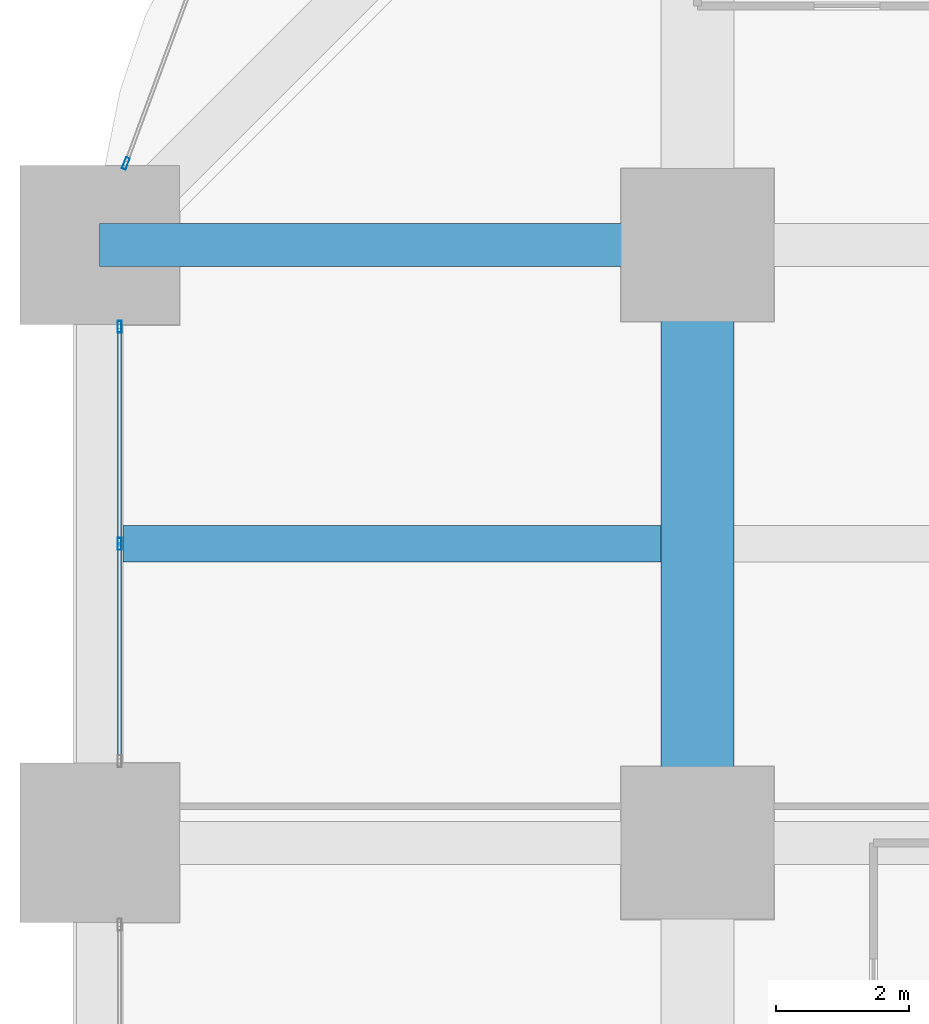
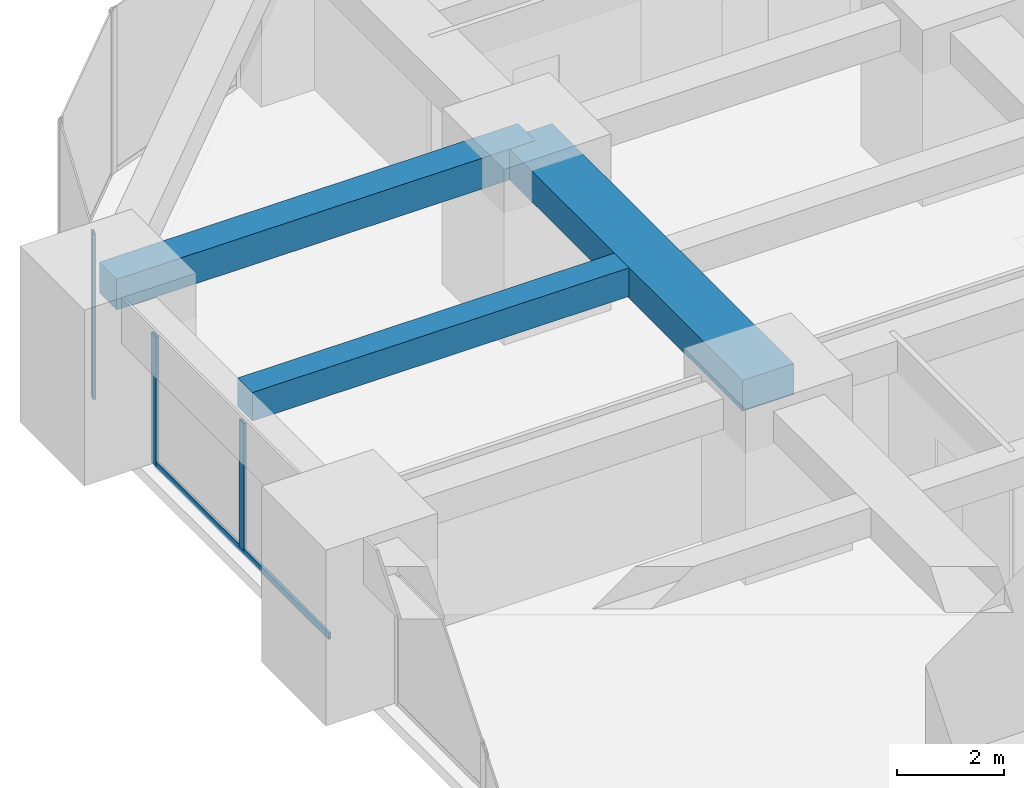
# One storey, part 25 of 45: 4 members, 3 beams, 2 elements without a shape of their own.
"""IFC4 building model written with IfcOpenShell, lengths in metres."""

from ifc_helpers import new_model, si_unit, direction, frame, origin, origin_2d, place, context, subcontext, project, spatial, rectangle, hollow_rectangle, extrude, material, material_profile, profile_set, type_object, element, aggregate, save


model = new_model("IFC4")

# Units and contexts
model_context = context("Model", 3, precision=1e-05, world=origin(), true_north=direction((0.0, 1.0)))
body_context = subcontext(model_context, "Body", "Model", "MODEL_VIEW")
ifc_project = project(units=[si_unit("LENGTHUNIT", "METRE"), si_unit("AREAUNIT", "SQUARE_METRE"), si_unit("VOLUMEUNIT", "CUBIC_METRE"), si_unit("PLANEANGLEUNIT", "RADIAN"), si_unit("MASSUNIT", "GRAM", prefix="KILO")], contexts=[model_context])

# Site, building, storey
site_placement = place(None, origin())
site = spatial("IfcSite", under=ifc_project, at=site_placement, CompositionType="ELEMENT")
building_placement = place(site_placement, origin())
building = spatial("IfcBuilding", under=site, at=building_placement, Name="Zorevar Civic Tower", CompositionType="ELEMENT")
storey_placement = place(building_placement, frame((0.0, 0.0, 39.800048828125)))
storey = spatial("IfcBuildingStorey", under=building, at=storey_placement, Name="L09", CompositionType="ELEMENT", Elevation=39.800048828125)

# Beams
ifc_material_1 = material(Name="Concrete C50/60", Category="concrete")
ifc_material_profile_1 = material_profile(ifc_material_1, rectangle(XDim=1.10009765625, YDim=0.699951171875, at=origin_2d()), Name="RC 1100x700")
ifc_profile_set_1 = profile_set([ifc_material_profile_1], Name="Concrete C50/60")
beam_type_1 = type_object("IfcBeamType", Name="Beam RC 1100x700", PredefinedType="BEAM", material=ifc_profile_set_1)
beam_1_placement = place(storey_placement, frame((9.0, 36.0, 3.39990234375), z_axis=(0.0, 1.0, 0.0), x_axis=(-1.0, 0.0, 0.0)))
element("IfcBeam", 1, at=beam_1_placement, inside=storey, type_object=beam_type_1, Name="Girder L10", PredefinedType="BEAM", context=body_context, shape_type="SweptSolid", body=[
    extrude(rectangle(XDim=1.10009765625, YDim=0.699951171875, at=origin_2d()), origin(), (0.0, 0.0, 1.0), 9.0),
])
ifc_material_2 = material(Name="Concrete C50/60", Category="concrete")
ifc_material_profile_2 = material_profile(ifc_material_2, rectangle(XDim=0.550048828125, YDim=0.64990234375, at=origin_2d()), Name="RC 550x650")
ifc_profile_set_2 = profile_set([ifc_material_profile_2], Name="Concrete C50/60")
beam_type_2 = type_object("IfcBeamType", Name="Beam RC 550x650", PredefinedType="BEAM", material=ifc_profile_set_2)
beam_2_placement = place(storey_placement, frame((0.35009765625, 40.5, 3.425048828125), z_axis=(1.0, 0.0, 0.0), x_axis=(0.0, 1.0, 0.0)))
element("IfcBeam", 2, at=beam_2_placement, inside=storey, type_object=beam_type_2, Name="Secondary beam L10", PredefinedType="BEAM", context=body_context, shape_type="SweptSolid", body=[
    extrude(rectangle(XDim=0.550048828125, YDim=0.64990234375, at=origin_2d()), origin(), (0.0, 0.0, 1.0), 8.099853515625),
])
ifc_material_3 = material(Name="Concrete C50/60", Category="concrete")
ifc_material_profile_3 = material_profile(ifc_material_3, rectangle(XDim=0.64990234375, YDim=0.699951171875, at=origin_2d()), Name="RC 650x700")
ifc_profile_set_3 = profile_set([ifc_material_profile_3], Name="Concrete C50/60")
beam_type_3 = type_object("IfcBeamType", Name="Beam RC 650x700", PredefinedType="BEAM", material=ifc_profile_set_3)
beam_3_placement = place(storey_placement, frame((0.0, 45.0, 3.39990234375), z_axis=(1.0, 0.0, 0.0), x_axis=(0.0, 1.0, 0.0)))
element("IfcBeam", 3, at=beam_3_placement, inside=storey, type_object=beam_type_3, Name="Girder L10", PredefinedType="BEAM", context=body_context, shape_type="SweptSolid", body=[
    extrude(rectangle(XDim=0.64990234375, YDim=0.699951171875, at=origin_2d()), origin(), (0.0, 0.0, 1.0), 9.0),
])

# Curtain wall, members
ifc_material_4 = material(Name="Dark grey solar-control glass in black aluminium frame", Category="aluminium")
curtain_wall_type = type_object("IfcCurtainWallType", Name="Curtain wall CW2 low zone", PredefinedType="NOTDEFINED", material=ifc_material_4)
curtain_wall_1_placement = place(storey_placement, origin())
curtain_wall_1 = element("IfcCurtainWall", 4, at=curtain_wall_1_placement, inside=storey, type_object=curtain_wall_type, Name="CW2 L09", PredefinedType="NOTDEFINED")
ifc_material_5 = material(Name="Aluminium, black anodised", Category="aluminium")
ifc_material_profile_4 = material_profile(ifc_material_5, hollow_rectangle(XDim=0.06005859375, YDim=0.179931640625, WallThickness=0.00390625, at=origin_2d()), Name="AL 180x60x4")
ifc_profile_set_4 = profile_set([ifc_material_profile_4], Name="Aluminium, black anodised")
member_type_1 = type_object("IfcMemberType", Name="CW2 mullion AL 180x60x4", PredefinedType="MULLION", material=ifc_profile_set_4)
member_1_placement = place(storey_placement, frame((0.300048828125, 40.5, 0.06005859375), z_axis=(0.0, 0.0, 1.0), x_axis=(-1.0, 0.0, 0.0)))
member_1 = element("IfcMember", 5, at=member_1_placement, type_object=member_type_1, Name="CW2 mullion 2", PredefinedType="MULLION", context=body_context, shape_type="SweptSolid", body=[
    extrude(hollow_rectangle(XDim=0.06005859375, YDim=0.179931640625, WallThickness=0.00390625, at=origin_2d()), origin(), (0.0, 0.0, 1.0), 2.889892578125),
])
member_2_placement = place(storey_placement, frame((0.300048828125, 43.77001953125, 0.0), z_axis=(0.0, 0.0, 1.0), x_axis=(-1.0, 0.0, 0.0)))
member_2 = element("IfcMember", 6, at=member_2_placement, type_object=member_type_1, Name="CW2 mullion 3", PredefinedType="MULLION", context=body_context, shape_type="SweptSolid", body=[
    extrude(hollow_rectangle(XDim=0.06005859375, YDim=0.179931640625, WallThickness=0.00390625, at=origin_2d()), origin(), (0.0, 0.0, 1.0), 2.949951171875),
])

# Curtain wall, member
curtain_wall_2_placement = place(storey_placement, origin())
curtain_wall_2 = element("IfcCurtainWall", 7, at=curtain_wall_2_placement, inside=storey, type_object=curtain_wall_type, Name="CW2 L09", PredefinedType="NOTDEFINED")
member_3_placement = place(storey_placement, frame((0.3935546875, 46.22802734375, 0.0), z_axis=(0.0, 0.0, 1.0), x_axis=(0.937974588163, -0.346704012033, 0.0)))
member_3 = element("IfcMember", 8, at=member_3_placement, type_object=member_type_1, Name="CW2 mullion 2", PredefinedType="MULLION", context=body_context, shape_type="SweptSolid", body=[
    extrude(hollow_rectangle(XDim=0.06005859375, YDim=0.179931640625, WallThickness=0.00390625, at=origin_2d()), origin(), (0.0, 0.0, 1.0), 3.75),
])
aggregate(curtain_wall_2, [member_3])

# Member
ifc_material_6 = material(Name="Aluminium, black anodised", Category="aluminium")
ifc_material_profile_5 = material_profile(ifc_material_6, hollow_rectangle(XDim=0.06005859375, YDim=0.14990234375, WallThickness=0.00390625, at=origin_2d()), Name="AL 150x60x4")
ifc_profile_set_5 = profile_set([ifc_material_profile_5], Name="Aluminium, black anodised")
member_type_2 = type_object("IfcMemberType", Name="CW2 transom AL 150x60x4", PredefinedType="USERDEFINED", material=ifc_profile_set_5)
member_4_placement = place(storey_placement, frame((0.300048828125, 37.260009765625, 0.030029296875), z_axis=(0.0, 1.0, 0.0), x_axis=(-1.0, 0.0, 0.0)))
member_4 = element("IfcMember", 9, at=member_4_placement, type_object=member_type_2, Name="CW2 sill transom", ObjectType="TRANSOM", PredefinedType="USERDEFINED", context=body_context, shape_type="SweptSolid", body=[
    extrude(hollow_rectangle(XDim=0.06005859375, YDim=0.14990234375, WallThickness=0.00390625, at=origin_2d()), origin(), (0.0, 0.0, 1.0), 6.47998046875),
])

aggregate(curtain_wall_1, [member_1, member_2, member_4])

save(model, "model.ifc")
